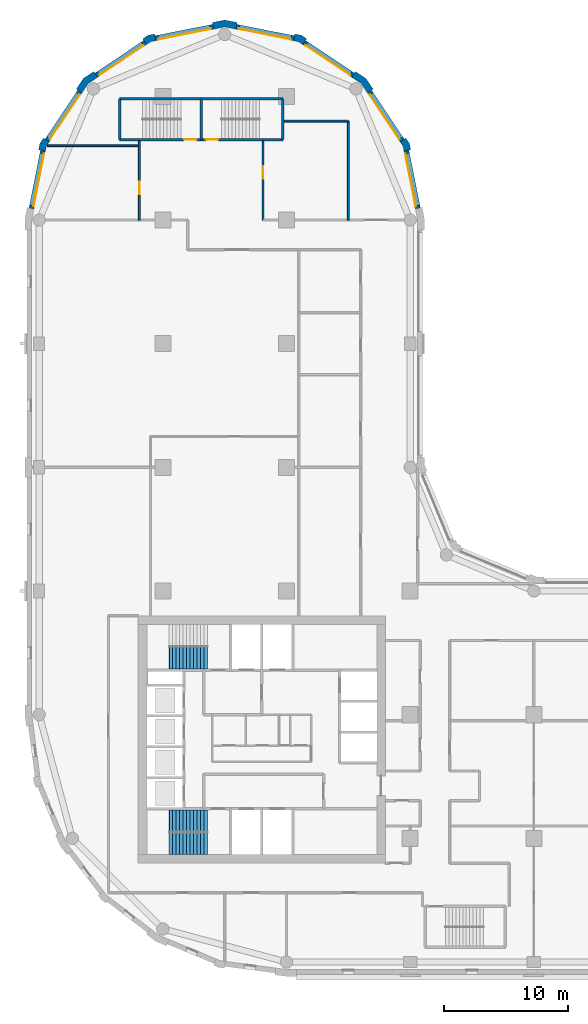
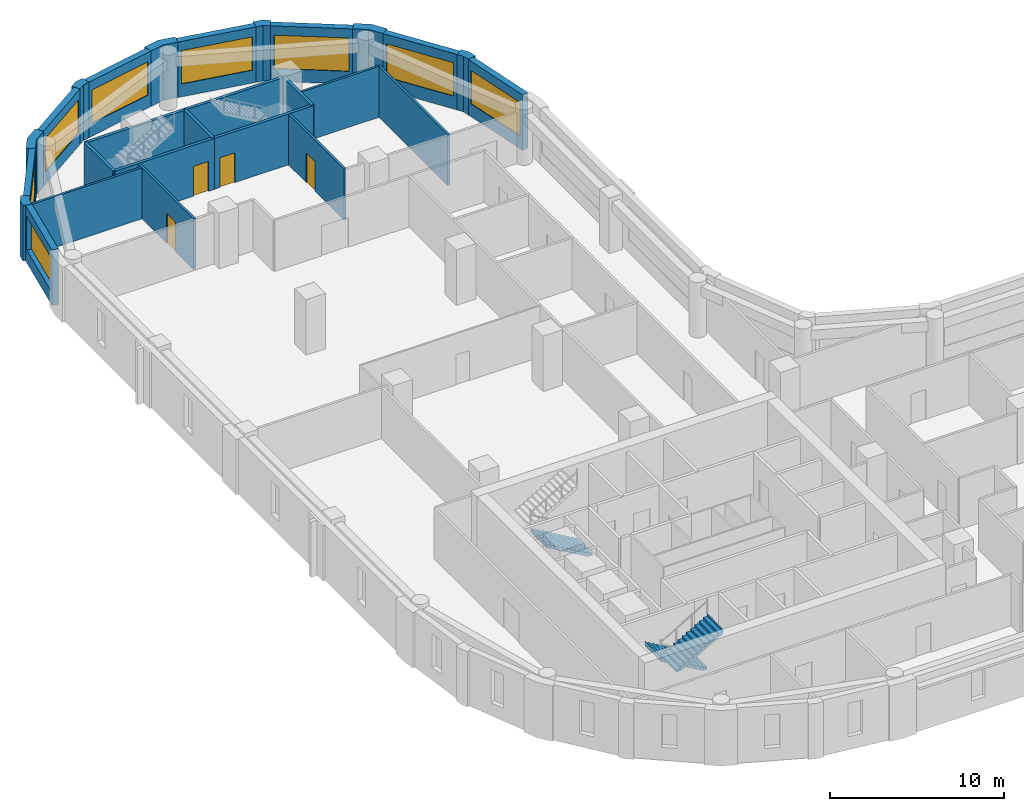
# One storey, part 6 of 9: 27 walls, 8 windows, 4 doors, 3 stair flights, 12 openings, 2 elements without a shape of their own.
"""IFC4 building model written with IfcOpenShell, lengths in metres."""

from ifc_helpers import new_model, si_unit, direction, frame, frame_2d, origin, place, context, subcontext, project, spatial, polyline, rectangle, outline, extrude, material, layer, layer_set, type_object, element, fill, aggregate, save


model = new_model("IFC4")

# Units and contexts
model_context = context("Model", 3, precision=1e-05, world=origin(), true_north=direction((0.0, 1.0)))
body_context = subcontext(model_context, "Body", "Model", "MODEL_VIEW")
ifc_project = project(units=[si_unit("LENGTHUNIT", "METRE"), si_unit("AREAUNIT", "SQUARE_METRE"), si_unit("VOLUMEUNIT", "CUBIC_METRE"), si_unit("PLANEANGLEUNIT", "RADIAN"), si_unit("MASSUNIT", "GRAM", prefix="KILO")], contexts=[model_context])

# Site, building, storey
site_placement = place(None, origin())
site = spatial("IfcSite", under=ifc_project, at=site_placement, CompositionType="ELEMENT")
building_placement = place(site_placement, origin())
building = spatial("IfcBuilding", under=site, at=building_placement, Name="Qaws Garden Tower", CompositionType="ELEMENT")
storey_placement = place(building_placement, frame((0.0, 0.0, 155.10009765625)))
storey = spatial("IfcBuildingStorey", under=building, at=storey_placement, Name="L37", CompositionType="ELEMENT", Elevation=155.10009765625)

# Wall, opening, window
ifc_material_1 = material(Name="Clay facing brick masonry", Category="masonry")
ifc_layer_1 = layer(ifc_material_1, 0.39990234375)
ifc_layer_set_1 = layer_set([ifc_layer_1], Name="Clay facing brick masonry")
wall_type_1 = type_object("IfcWallType", Name="Brick infill wall 400", PredefinedType="SOLIDWALL", material=ifc_layer_set_1)
wall_1_placement = place(storey_placement, frame((30.628662109375, 60.940673828125, 0.0), z_axis=(0.0, 0.0, 1.0), x_axis=(-0.195098533057, 0.98078364709, 0.0)))
wall_1 = element("IfcWall", 1, at=wall_1_placement, inside=storey, type_object=wall_type_1, Name="E-L37-infill-13", PredefinedType="SOLIDWALL", context=body_context, shape_type="SweptSolid", body=[
    extrude(rectangle(XDim=4.752685546875, YDim=0.39990234375, at=frame_2d((2.37646484375, 0.0))), origin(), (0.0, 0.0, 1.0), 3.89990234375),
])
opening_1_placement = place(wall_1_placement, frame((0.226318359375, 0.0, 0.89990234375)))
opening_1 = element("IfcOpeningElement", 2, at=opening_1_placement, cuts=wall_1, Name="Opening W06", PredefinedType="OPENING", context=body_context, shape_type="SweptSolid", body=[
    extrude(rectangle(XDim=4.300048828125, YDim=2.35009765625, at=frame_2d((2.14990234375, 1.175048828125))), frame((0.0, 0.2099609375, 0.0), z_axis=(0.0, -1.0, 0.0), x_axis=(1.0, 0.0, 0.0)), (0.0, 0.0, 1.0), 0.419921875),
])
ifc_material_2 = material(Name="Aluminium framed window, clear glazing", Category="aluminium")
window_type = type_object("IfcWindowType", Name="Ribbon window 4300 x 2350", PartitioningType="DOUBLE_PANEL_VERTICAL", PredefinedType="WINDOW", material=ifc_material_2)
window_1_placement = place(opening_1_placement, origin())
window_1 = element("IfcWindow", 3, at=window_1_placement, inside=storey, type_object=window_type, Name="E-L37-window-13-0", OverallHeight=2.35009765625, OverallWidth=4.300048828125, PartitioningType="SINGLE_PANEL", PredefinedType="WINDOW", context=body_context, shape_type="SweptSolid", body=[
    extrude(rectangle(XDim=4.300048828125, YDim=2.35009765625, at=frame_2d((2.14990234375, 1.175048828125))), frame((0.0, 0.159912109375, 0.0), z_axis=(0.0, -1.0, 0.0), x_axis=(1.0, 0.0, 0.0)), (0.0, 0.0, 1.0), 0.06005859375),
])
fill(opening_1, window_1)

wall_2_placement = place(storey_placement, frame((29.356689453125, 66.43408203125, 0.0), z_axis=(0.0, 0.0, 1.0), x_axis=(-0.555541552266, 0.831488775454, 0.0)))
wall_2 = element("IfcWall", 4, at=wall_2_placement, inside=storey, type_object=wall_type_1, Name="E-L37-infill-14", PredefinedType="SOLIDWALL", context=body_context, shape_type="SweptSolid", body=[
    extrude(rectangle(XDim=4.752685546875, YDim=0.39990234375, at=frame_2d((2.37646484375, 0.0))), origin(), (0.0, 0.0, 1.0), 3.89990234375),
])
opening_2_placement = place(wall_2_placement, frame((0.226318359375, 0.0, 0.89990234375)))
opening_2 = element("IfcOpeningElement", 5, at=opening_2_placement, cuts=wall_2, Name="Opening W06", PredefinedType="OPENING", context=body_context, shape_type="SweptSolid", body=[
    extrude(rectangle(XDim=4.300048828125, YDim=2.35009765625, at=frame_2d((2.14990234375, 1.175048828125))), frame((0.0, 0.2099609375, 0.0), z_axis=(0.0, -1.0, 0.0), x_axis=(1.0, 0.0, 0.0)), (0.0, 0.0, 1.0), 0.419921875),
])
window_2_placement = place(opening_2_placement, origin())
window_2 = element("IfcWindow", 6, at=window_2_placement, inside=storey, type_object=window_type, Name="E-L37-window-14-0", OverallHeight=2.35009765625, OverallWidth=4.300048828125, PartitioningType="SINGLE_PANEL", PredefinedType="WINDOW", context=body_context, shape_type="SweptSolid", body=[
    extrude(rectangle(XDim=4.300048828125, YDim=2.35009765625, at=frame_2d((2.14990234375, 1.175048828125))), frame((0.0, 0.159912109375, 0.0), z_axis=(0.0, -1.0, 0.0), x_axis=(1.0, 0.0, 0.0)), (0.0, 0.0, 1.0), 0.06005859375),
])
fill(opening_2, window_2)

wall_3_placement = place(storey_placement, frame((25.385986328125, 71.71630859375, 0.0), z_axis=(0.0, 0.0, 1.0), x_axis=(-0.831488775454, 0.555541552266, 0.0)))
wall_3 = element("IfcWall", 7, at=wall_3_placement, inside=storey, type_object=wall_type_1, Name="E-L37-infill-15", PredefinedType="SOLIDWALL", context=body_context, shape_type="SweptSolid", body=[
    extrude(rectangle(XDim=4.752685546875, YDim=0.39990234375, at=frame_2d((2.37646484375, 0.0))), origin(), (0.0, 0.0, 1.0), 3.89990234375),
])
opening_3_placement = place(wall_3_placement, frame((0.226318359375, 0.0, 0.89990234375)))
opening_3 = element("IfcOpeningElement", 8, at=opening_3_placement, cuts=wall_3, Name="Opening W06", PredefinedType="OPENING", context=body_context, shape_type="SweptSolid", body=[
    extrude(rectangle(XDim=4.300048828125, YDim=2.35009765625, at=frame_2d((2.14990234375, 1.175048828125))), frame((0.0, 0.2099609375, 0.0), z_axis=(0.0, -1.0, 0.0), x_axis=(1.0, 0.0, 0.0)), (0.0, 0.0, 1.0), 0.419921875),
])
window_3_placement = place(opening_3_placement, origin())
window_3 = element("IfcWindow", 9, at=window_3_placement, inside=storey, type_object=window_type, Name="E-L37-window-15-0", OverallHeight=2.35009765625, OverallWidth=4.300048828125, PartitioningType="SINGLE_PANEL", PredefinedType="WINDOW", context=body_context, shape_type="SweptSolid", body=[
    extrude(rectangle(XDim=4.300048828125, YDim=2.35009765625, at=frame_2d((2.14990234375, 1.175048828125))), frame((0.0, 0.159912109375, 0.0), z_axis=(0.0, -1.0, 0.0), x_axis=(1.0, 0.0, 0.0)), (0.0, 0.0, 1.0), 0.06005859375),
])
fill(opening_3, window_3)

wall_4_placement = place(storey_placement, frame((20.60205078125, 74.701416015625, 0.0), z_axis=(0.0, 0.0, 1.0), x_axis=(-0.98078364709, 0.195098533057, 0.0)))
wall_4 = element("IfcWall", 10, at=wall_4_placement, inside=storey, type_object=wall_type_1, Name="E-L37-infill-16", PredefinedType="SOLIDWALL", context=body_context, shape_type="SweptSolid", body=[
    extrude(rectangle(XDim=4.752685546875, YDim=0.39990234375, at=frame_2d((2.37646484375, 0.0))), origin(), (0.0, 0.0, 1.0), 3.89990234375),
])
opening_4_placement = place(wall_4_placement, frame((0.226318359375, 0.0, 0.89990234375)))
opening_4 = element("IfcOpeningElement", 11, at=opening_4_placement, cuts=wall_4, Name="Opening W06", PredefinedType="OPENING", context=body_context, shape_type="SweptSolid", body=[
    extrude(rectangle(XDim=4.300048828125, YDim=2.35009765625, at=frame_2d((2.14990234375, 1.175048828125))), frame((0.0, 0.2099609375, 0.0), z_axis=(0.0, -1.0, 0.0), x_axis=(1.0, 0.0, 0.0)), (0.0, 0.0, 1.0), 0.419921875),
])
window_4_placement = place(opening_4_placement, origin())
window_4 = element("IfcWindow", 12, at=window_4_placement, inside=storey, type_object=window_type, Name="E-L37-window-16-0", OverallHeight=2.35009765625, OverallWidth=4.300048828125, PartitioningType="SINGLE_PANEL", PredefinedType="WINDOW", context=body_context, shape_type="SweptSolid", body=[
    extrude(rectangle(XDim=4.300048828125, YDim=2.35009765625, at=frame_2d((2.14990234375, 1.175048828125))), frame((0.0, 0.159912109375, 0.0), z_axis=(0.0, -1.0, 0.0), x_axis=(1.0, 0.0, 0.0)), (0.0, 0.0, 1.0), 0.06005859375),
])
fill(opening_4, window_4)

wall_5_placement = place(storey_placement, frame((14.059326171875, 75.628662109375, 0.0), z_axis=(0.0, 0.0, 1.0), x_axis=(-0.98078364709, -0.195098533057, 0.0)))
wall_5 = element("IfcWall", 13, at=wall_5_placement, inside=storey, type_object=wall_type_1, Name="E-L37-infill-17", PredefinedType="SOLIDWALL", context=body_context, shape_type="SweptSolid", body=[
    extrude(rectangle(XDim=4.752685546875, YDim=0.39990234375, at=frame_2d((2.37646484375, 0.0))), origin(), (0.0, 0.0, 1.0), 3.89990234375),
])
opening_5_placement = place(wall_5_placement, frame((0.226318359375, 0.0, 0.89990234375)))
opening_5 = element("IfcOpeningElement", 14, at=opening_5_placement, cuts=wall_5, Name="Opening W06", PredefinedType="OPENING", context=body_context, shape_type="SweptSolid", body=[
    extrude(rectangle(XDim=4.300048828125, YDim=2.35009765625, at=frame_2d((2.14990234375, 1.175048828125))), frame((0.0, 0.2099609375, 0.0), z_axis=(0.0, -1.0, 0.0), x_axis=(1.0, 0.0, 0.0)), (0.0, 0.0, 1.0), 0.419921875),
])
window_5_placement = place(opening_5_placement, origin())
window_5 = element("IfcWindow", 15, at=window_5_placement, inside=storey, type_object=window_type, Name="E-L37-window-17-0", OverallHeight=2.35009765625, OverallWidth=4.300048828125, PartitioningType="SINGLE_PANEL", PredefinedType="WINDOW", context=body_context, shape_type="SweptSolid", body=[
    extrude(rectangle(XDim=4.300048828125, YDim=2.35009765625, at=frame_2d((2.14990234375, 1.175048828125))), frame((0.0, 0.159912109375, 0.0), z_axis=(0.0, -1.0, 0.0), x_axis=(1.0, 0.0, 0.0)), (0.0, 0.0, 1.0), 0.06005859375),
])
fill(opening_5, window_5)

wall_6_placement = place(storey_placement, frame((8.56591796875, 74.356689453125, 0.0), z_axis=(0.0, 0.0, 1.0), x_axis=(-0.831488775454, -0.555541552266, 0.0)))
wall_6 = element("IfcWall", 16, at=wall_6_placement, inside=storey, type_object=wall_type_1, Name="E-L37-infill-18", PredefinedType="SOLIDWALL", context=body_context, shape_type="SweptSolid", body=[
    extrude(rectangle(XDim=4.752685546875, YDim=0.39990234375, at=frame_2d((2.37646484375, 0.0))), origin(), (0.0, 0.0, 1.0), 3.89990234375),
])
opening_6_placement = place(wall_6_placement, frame((0.226318359375, 0.0, 0.89990234375)))
opening_6 = element("IfcOpeningElement", 17, at=opening_6_placement, cuts=wall_6, Name="Opening W06", PredefinedType="OPENING", context=body_context, shape_type="SweptSolid", body=[
    extrude(rectangle(XDim=4.300048828125, YDim=2.35009765625, at=frame_2d((2.14990234375, 1.175048828125))), frame((0.0, 0.2099609375, 0.0), z_axis=(0.0, -1.0, 0.0), x_axis=(1.0, 0.0, 0.0)), (0.0, 0.0, 1.0), 0.419921875),
])
window_6_placement = place(opening_6_placement, origin())
window_6 = element("IfcWindow", 18, at=window_6_placement, inside=storey, type_object=window_type, Name="E-L37-window-18-0", OverallHeight=2.35009765625, OverallWidth=4.300048828125, PartitioningType="SINGLE_PANEL", PredefinedType="WINDOW", context=body_context, shape_type="SweptSolid", body=[
    extrude(rectangle(XDim=4.300048828125, YDim=2.35009765625, at=frame_2d((2.14990234375, 1.175048828125))), frame((0.0, 0.159912109375, 0.0), z_axis=(0.0, -1.0, 0.0), x_axis=(1.0, 0.0, 0.0)), (0.0, 0.0, 1.0), 0.06005859375),
])
fill(opening_6, window_6)

wall_7_placement = place(storey_placement, frame((3.28369140625, 70.385986328125, 0.0), z_axis=(0.0, 0.0, 1.0), x_axis=(-0.555541552266, -0.831488775454, 0.0)))
wall_7 = element("IfcWall", 19, at=wall_7_placement, inside=storey, type_object=wall_type_1, Name="E-L37-infill-19", PredefinedType="SOLIDWALL", context=body_context, shape_type="SweptSolid", body=[
    extrude(rectangle(XDim=4.752685546875, YDim=0.39990234375, at=frame_2d((2.37646484375, 0.0))), origin(), (0.0, 0.0, 1.0), 3.89990234375),
])
opening_7_placement = place(wall_7_placement, frame((0.226318359375, 0.0, 0.89990234375)))
opening_7 = element("IfcOpeningElement", 20, at=opening_7_placement, cuts=wall_7, Name="Opening W06", PredefinedType="OPENING", context=body_context, shape_type="SweptSolid", body=[
    extrude(rectangle(XDim=4.300048828125, YDim=2.35009765625, at=frame_2d((2.14990234375, 1.175048828125))), frame((0.0, 0.2099609375, 0.0), z_axis=(0.0, -1.0, 0.0), x_axis=(1.0, 0.0, 0.0)), (0.0, 0.0, 1.0), 0.419921875),
])
window_7_placement = place(opening_7_placement, origin())
window_7 = element("IfcWindow", 21, at=window_7_placement, inside=storey, type_object=window_type, Name="E-L37-window-19-0", OverallHeight=2.35009765625, OverallWidth=4.300048828125, PartitioningType="SINGLE_PANEL", PredefinedType="WINDOW", context=body_context, shape_type="SweptSolid", body=[
    extrude(rectangle(XDim=4.300048828125, YDim=2.35009765625, at=frame_2d((2.14990234375, 1.175048828125))), frame((0.0, 0.159912109375, 0.0), z_axis=(0.0, -1.0, 0.0), x_axis=(1.0, 0.0, 0.0)), (0.0, 0.0, 1.0), 0.06005859375),
])
fill(opening_7, window_7)

wall_8_placement = place(storey_placement, frame((0.298583984375, 65.60205078125, 0.0), z_axis=(0.0, 0.0, 1.0), x_axis=(-0.195098533057, -0.98078364709, 0.0)))
wall_8 = element("IfcWall", 22, at=wall_8_placement, inside=storey, type_object=wall_type_1, Name="E-L37-infill-20", PredefinedType="SOLIDWALL", context=body_context, shape_type="SweptSolid", body=[
    extrude(rectangle(XDim=4.752685546875, YDim=0.39990234375, at=frame_2d((2.37646484375, 0.0))), origin(), (0.0, 0.0, 1.0), 3.89990234375),
])
opening_8_placement = place(wall_8_placement, frame((0.226318359375, 0.0, 0.89990234375)))
opening_8 = element("IfcOpeningElement", 23, at=opening_8_placement, cuts=wall_8, Name="Opening W06", PredefinedType="OPENING", context=body_context, shape_type="SweptSolid", body=[
    extrude(rectangle(XDim=4.300048828125, YDim=2.35009765625, at=frame_2d((2.14990234375, 1.175048828125))), frame((0.0, 0.2099609375, 0.0), z_axis=(0.0, -1.0, 0.0), x_axis=(1.0, 0.0, 0.0)), (0.0, 0.0, 1.0), 0.419921875),
])
window_8_placement = place(opening_8_placement, origin())
window_8 = element("IfcWindow", 24, at=window_8_placement, inside=storey, type_object=window_type, Name="E-L37-window-20-0", OverallHeight=2.35009765625, OverallWidth=4.300048828125, PartitioningType="SINGLE_PANEL", PredefinedType="WINDOW", context=body_context, shape_type="SweptSolid", body=[
    extrude(rectangle(XDim=4.300048828125, YDim=2.35009765625, at=frame_2d((2.14990234375, 1.175048828125))), frame((0.0, 0.159912109375, 0.0), z_axis=(0.0, -1.0, 0.0), x_axis=(1.0, 0.0, 0.0)), (0.0, 0.0, 1.0), 0.06005859375),
])
fill(opening_8, window_8)

# Walls
ifc_material_3 = material(Name="Clay facing brick masonry", Category="masonry")
ifc_layer_2 = layer(ifc_material_3, 0.550048828125)
ifc_layer_set_2 = layer_set([ifc_layer_2], Name="Clay facing brick masonry")
wall_type_2 = type_object("IfcWallType", Name="Brick kink pier 550 x 600", PredefinedType="SOLIDWALL", material=ifc_layer_set_2)
placement = place(storey_placement, origin())
element("IfcWall", 25, at=placement, inside=storey, type_object=wall_type_2, Name="E-L37-pier-14", PredefinedType="SOLIDWALL", context=body_context, shape_type="SweptSolid", body=[
    extrude(outline(polyline([(29.8974609375, 65.64111328125), (30.044677734375, 65.67041015625), (29.94140625, 66.18896484375), (29.647705078125, 66.628662109375), (29.52294921875, 66.545166015625), (29.1904296875, 66.322998046875), (29.42333984375, 65.974365234375), (29.505126953125, 65.56298828125), (29.8974609375, 65.64111328125)])), origin(), (0.0, 0.0, 1.0), 3.89990234375),
])
element("IfcWall", 26, at=placement, inside=storey, type_object=wall_type_2, Name="E-L37-pier-16", PredefinedType="SOLIDWALL", context=body_context, shape_type="SweptSolid", body=[
    extrude(outline(polyline([(21.545166015625, 74.52294921875), (21.628662109375, 74.647705078125), (21.18896484375, 74.94140625), (20.67041015625, 75.044677734375), (20.64111328125, 74.8974609375), (20.56298828125, 74.505126953125), (20.974365234375, 74.42333984375), (21.322998046875, 74.1904296875), (21.545166015625, 74.52294921875)])), origin(), (0.0, 0.0, 1.0), 3.89990234375),
])
element("IfcWall", 27, at=placement, inside=storey, type_object=wall_type_2, Name="E-L37-pier-18", PredefinedType="SOLIDWALL", context=body_context, shape_type="SweptSolid", body=[
    extrude(outline(polyline([(9.35888671875, 74.8974609375), (9.32958984375, 75.044677734375), (8.81103515625, 74.94140625), (8.371337890625, 74.647705078125), (8.454833984375, 74.52294921875), (8.677001953125, 74.1904296875), (9.025634765625, 74.42333984375), (9.43701171875, 74.505126953125), (9.35888671875, 74.8974609375)])), origin(), (0.0, 0.0, 1.0), 3.89990234375),
])
element("IfcWall", 28, at=placement, inside=storey, type_object=wall_type_2, Name="E-L37-pier-20", PredefinedType="SOLIDWALL", context=body_context, shape_type="SweptSolid", body=[
    extrude(outline(polyline([(0.47705078125, 66.545166015625), (0.352294921875, 66.628662109375), (0.05859375, 66.18896484375), (-0.044677734375, 65.67041015625), (0.1025390625, 65.64111328125), (0.494873046875, 65.56298828125), (0.57666015625, 65.974365234375), (0.8095703125, 66.322998046875), (0.47705078125, 66.545166015625)])), origin(), (0.0, 0.0, 1.0), 3.89990234375),
])
ifc_material_4 = material(Name="Clay facing brick masonry", Category="masonry")
ifc_layer_3 = layer(ifc_material_4, 0.550048828125)
ifc_layer_set_3 = layer_set([ifc_layer_3], Name="Clay facing brick masonry")
wall_type_3 = type_object("IfcWallType", Name="Brick pier 550 x 1600", PredefinedType="SOLIDWALL", material=ifc_layer_set_3)
element("IfcWall", 29, at=placement, inside=storey, type_object=wall_type_3, Name="E-L37-pier-15", PredefinedType="SOLIDWALL", context=body_context, shape_type="SweptSolid", body=[
    extrude(outline(polyline([(26.882568359375, 70.4970703125), (27.00732421875, 70.580322265625), (26.435791015625, 71.435791015625), (25.580322265625, 72.00732421875), (25.4970703125, 71.882568359375), (25.274658203125, 71.550048828125), (26.0390625, 71.0390625), (26.550048828125, 70.274658203125), (26.882568359375, 70.4970703125)])), origin(), (0.0, 0.0, 1.0), 3.89990234375),
])
element("IfcWall", 30, at=placement, inside=storey, type_object=wall_type_3, Name="E-L37-pier-17", PredefinedType="SOLIDWALL", context=body_context, shape_type="SweptSolid", body=[
    extrude(outline(polyline([(15.979736328125, 75.82470703125), (16.009033203125, 75.971923828125), (15.0, 76.172607421875), (13.990966796875, 75.971923828125), (14.020263671875, 75.82470703125), (14.098388671875, 75.432373046875), (15.0, 75.61181640625), (15.901611328125, 75.432373046875), (15.979736328125, 75.82470703125)])), origin(), (0.0, 0.0, 1.0), 3.89990234375),
])
element("IfcWall", 31, at=placement, inside=storey, type_object=wall_type_3, Name="E-L37-pier-19", PredefinedType="SOLIDWALL", context=body_context, shape_type="SweptSolid", body=[
    extrude(outline(polyline([(4.5029296875, 71.882568359375), (4.419677734375, 72.00732421875), (3.564208984375, 71.435791015625), (2.99267578125, 70.580322265625), (3.117431640625, 70.4970703125), (3.449951171875, 70.274658203125), (3.9609375, 71.0390625), (4.725341796875, 71.550048828125), (4.5029296875, 71.882568359375)])), origin(), (0.0, 0.0, 1.0), 3.89990234375),
])

# Wall, opening, door
ifc_material_5 = material(Name="Concrete C70", Category="concrete")
ifc_layer_4 = layer(ifc_material_5, 0.199951171875)
ifc_layer_set_4 = layer_set([ifc_layer_4], Name="Concrete C70")
wall_type_4 = type_object("IfcWallType", Name="Core shaft wall 200 C70", PredefinedType="SHEAR", material=ifc_layer_set_4)
wall_16_placement = place(storey_placement, frame((6.5, 66.5, 0.0), z_axis=(0.0, 0.0, 1.0), x_axis=(1.0, 0.0, 0.0)))
wall_16 = element("IfcWall", 32, at=wall_16_placement, inside=storey, type_object=wall_type_4, Name="Shaft wall", PredefinedType="SHEAR", context=body_context, shape_type="SweptSolid", body=[
    extrude(rectangle(XDim=6.60009765625, YDim=0.199951171875, at=frame_2d((3.300048828125, 0.0))), origin(), (0.0, 0.0, 1.0), 3.579833984375),
])
opening_9_placement = place(wall_16_placement, frame((5.22509765625, 0.0, 0.0)))
opening_9 = element("IfcOpeningElement", 33, at=opening_9_placement, cuts=wall_16, Name="Opening SD13", PredefinedType="OPENING", context=body_context, shape_type="SweptSolid", body=[
    extrude(rectangle(XDim=1.0, YDim=2.10009765625, at=frame_2d((0.5, 1.050048828125))), frame((0.0, 0.10986328125, 0.0), z_axis=(0.0, -1.0, 0.0), x_axis=(1.0, 0.0, 0.0)), (0.0, 0.0, 1.0), 0.219970703125),
])
ifc_material_6 = material(Name="Steel S235", Category="steel")
door_type_1 = type_object("IfcDoorType", Name="Stair door 1000x2100", OperationType="SINGLE_SWING_RIGHT", PredefinedType="DOOR", material=ifc_material_6)
door_1_placement = place(opening_9_placement, origin())
door_1 = element("IfcDoor", 34, at=door_1_placement, inside=storey, type_object=door_type_1, Name="Stair 6 door", OperationType="SINGLE_SWING_RIGHT", OverallHeight=2.10009765625, OverallWidth=1.0, PredefinedType="DOOR", context=body_context, shape_type="SweptSolid", body=[
    extrude(rectangle(XDim=1.0, YDim=2.10009765625, at=frame_2d((0.5, 1.050048828125))), frame((0.0, 0.02490234375, 0.0), z_axis=(0.0, -1.0, 0.0), x_axis=(1.0, 0.0, 0.0)), (0.0, 0.0, 1.0), 0.050048828125),
])
fill(opening_9, door_1)

wall_17_placement = place(storey_placement, frame((13.10009765625, 66.5, 0.0), z_axis=(0.0, 0.0, 1.0), x_axis=(1.0, 0.0, 0.0)))
wall_17 = element("IfcWall", 35, at=wall_17_placement, inside=storey, type_object=wall_type_4, Name="Shaft wall", PredefinedType="SHEAR", context=body_context, shape_type="SweptSolid", body=[
    extrude(rectangle(XDim=6.599853515625, YDim=0.199951171875, at=frame_2d((3.2998046875, 0.0))), origin(), (0.0, 0.0, 1.0), 3.579833984375),
])
opening_10_placement = place(wall_17_placement, frame((0.375, 0.0, 0.0)))
opening_10 = element("IfcOpeningElement", 36, at=opening_10_placement, cuts=wall_17, Name="Opening SD14", PredefinedType="OPENING", context=body_context, shape_type="SweptSolid", body=[
    extrude(rectangle(XDim=1.0, YDim=2.10009765625, at=frame_2d((0.5, 1.050048828125))), frame((0.0, 0.10986328125, 0.0), z_axis=(0.0, -1.0, 0.0), x_axis=(1.0, 0.0, 0.0)), (0.0, 0.0, 1.0), 0.219970703125),
])
door_2_placement = place(opening_10_placement, origin())
door_2 = element("IfcDoor", 37, at=door_2_placement, inside=storey, type_object=door_type_1, Name="Stair 7 door", OperationType="SINGLE_SWING_LEFT", OverallHeight=2.10009765625, OverallWidth=1.0, PredefinedType="DOOR", context=body_context, shape_type="SweptSolid", body=[
    extrude(rectangle(XDim=1.0, YDim=2.10009765625, at=frame_2d((0.5, 1.050048828125))), frame((0.0, 0.02490234375, 0.0), z_axis=(0.0, -1.0, 0.0), x_axis=(1.0, 0.0, 0.0)), (0.0, 0.0, 1.0), 0.050048828125),
])
fill(opening_10, door_2)

# Walls
wall_18_placement = place(storey_placement, frame((6.5, 69.800048828125, 0.0), z_axis=(0.0, 0.0, 1.0), x_axis=(1.0, 0.0, 0.0)))
element("IfcWall", 38, at=wall_18_placement, inside=storey, type_object=wall_type_4, Name="Shaft wall", PredefinedType="SHEAR", context=body_context, shape_type="SweptSolid", body=[
    extrude(rectangle(XDim=6.60009765625, YDim=0.199951171875, at=frame_2d((3.300048828125, 0.0))), origin(), (0.0, 0.0, 1.0), 3.579833984375),
])
wall_19_placement = place(storey_placement, frame((13.10009765625, 69.800048828125, 0.0), z_axis=(0.0, 0.0, 1.0), x_axis=(1.0, 0.0, 0.0)))
element("IfcWall", 39, at=wall_19_placement, inside=storey, type_object=wall_type_4, Name="Shaft wall", PredefinedType="SHEAR", context=body_context, shape_type="SweptSolid", body=[
    extrude(rectangle(XDim=6.599853515625, YDim=0.199951171875, at=frame_2d((3.2998046875, 0.0))), origin(), (0.0, 0.0, 1.0), 3.579833984375),
])
for number, where, z_axis, x_axis, name in (
    (40, (6.5, 66.5, 0.0), (0.0, 0.0, 1.0), (0.0, 1.0, 0.0), "Shaft wall"),
    (41, (13.10009765625, 66.5, 0.0), (0.0, 0.0, 1.0), (0.0, 1.0, 0.0), "Shaft wall"),
    (42, (19.699951171875, 66.5, 0.0), (0.0, 0.0, 1.0), (0.0, 1.0, 0.0), "Shaft wall"),
):
    element("IfcWall", number, at=place(storey_placement, frame(where, z_axis=z_axis, x_axis=x_axis)), inside=storey, type_object=wall_type_4, Name=name, PredefinedType="SHEAR", context=body_context, shape_type="SweptSolid", body=[
        extrude(rectangle(XDim=3.300048828125, YDim=0.199951171875, at=frame_2d((1.64990234375, 0.0))), origin(), (0.0, 0.0, 1.0), 3.579833984375),
    ])

# Wall, opening, door
ifc_material_7 = material(Name="Gypsum board partition")
ifc_layer_5 = layer(ifc_material_7, 0.14990234375)
ifc_layer_set_5 = layer_set([ifc_layer_5], Name="Gypsum board partition")
wall_type_5 = type_object("IfcWallType", Name="PARTITION 150 EI 60", PredefinedType="PARTITIONING", material=ifc_layer_set_5)
wall_20_placement = place(storey_placement, frame((8.10009765625, 60.0, 0.0), z_axis=(0.0, 0.0, 1.0), x_axis=(0.0, 1.0, 0.0)))
wall_20 = element("IfcWall", 43, at=wall_20_placement, inside=storey, type_object=wall_type_5, Name="O-L37-wall-007", PredefinedType="PARTITIONING", context=body_context, shape_type="SweptSolid", body=[
    extrude(rectangle(XDim=6.39990234375, YDim=0.14990234375, at=frame_2d((3.199951171875, 0.0))), origin(), (0.0, 0.0, 1.0), 3.579833984375),
])
opening_11_placement = place(wall_20_placement, frame((2.10009765625, 0.0, 0.0)))
opening_11 = element("IfcOpeningElement", 44, at=opening_11_placement, cuts=wall_20, Name="Opening B312", PredefinedType="OPENING", context=body_context, shape_type="SweptSolid", body=[
    extrude(rectangle(XDim=1.0, YDim=2.10009765625, at=frame_2d((0.5, 1.050048828125))), frame((0.0, 0.0849609375, 0.0), z_axis=(0.0, -1.0, 0.0), x_axis=(1.0, 0.0, 0.0)), (0.0, 0.0, 1.0), 0.169921875),
])
ifc_material_8 = material(Name="Timber door leaf", Category="wood")
door_type_2 = type_object("IfcDoorType", Name="TENANCY ENTRANCE DOOR 1000 X 2100", OperationType="SINGLE_SWING_LEFT", PredefinedType="DOOR", material=ifc_material_8)
door_3_placement = place(opening_11_placement, origin())
door_3 = element("IfcDoor", 45, at=door_3_placement, inside=storey, type_object=door_type_2, Name="O-L37-door-012", OperationType="SINGLE_SWING_LEFT", OverallHeight=2.10009765625, OverallWidth=1.0, PredefinedType="DOOR", context=body_context, shape_type="SweptSolid", body=[
    extrude(rectangle(XDim=1.0, YDim=2.10009765625, at=frame_2d((0.5, 1.050048828125))), frame((0.0, 0.02490234375, 0.0), z_axis=(0.0, -1.0, 0.0), x_axis=(1.0, 0.0, 0.0)), (0.0, 0.0, 1.0), 0.050048828125),
])
fill(opening_11, door_3)

wall_21_placement = place(storey_placement, frame((18.10009765625, 60.0, 0.0), z_axis=(0.0, 0.0, 1.0), x_axis=(0.0, 1.0, 0.0)))
wall_21 = element("IfcWall", 46, at=wall_21_placement, inside=storey, type_object=wall_type_5, Name="O-L37-wall-011", PredefinedType="PARTITIONING", context=body_context, shape_type="SweptSolid", body=[
    extrude(rectangle(XDim=6.39990234375, YDim=0.14990234375, at=frame_2d((3.199951171875, 0.0))), origin(), (0.0, 0.0, 1.0), 3.579833984375),
])
opening_12_placement = place(wall_21_placement, frame((3.35009765625, 0.0, 0.0)))
opening_12 = element("IfcOpeningElement", 47, at=opening_12_placement, cuts=wall_21, Name="Opening B313", PredefinedType="OPENING", context=body_context, shape_type="SweptSolid", body=[
    extrude(rectangle(XDim=1.0, YDim=2.10009765625, at=frame_2d((0.5, 1.050048828125))), frame((0.0, 0.0849609375, 0.0), z_axis=(0.0, -1.0, 0.0), x_axis=(1.0, 0.0, 0.0)), (0.0, 0.0, 1.0), 0.169921875),
])
door_4_placement = place(opening_12_placement, frame((1.0, 0.0, 0.0), z_axis=(0.0, 0.0, 1.0), x_axis=(-1.0, 0.0, 0.0)))
door_4 = element("IfcDoor", 48, at=door_4_placement, inside=storey, type_object=door_type_2, Name="O-L37-door-013", OperationType="SINGLE_SWING_RIGHT", OverallHeight=2.10009765625, OverallWidth=1.0, PredefinedType="DOOR", context=body_context, shape_type="SweptSolid", body=[
    extrude(rectangle(XDim=1.0, YDim=2.10009765625, at=frame_2d((0.5, 1.050048828125))), frame((0.0, 0.02490234375, 0.0), z_axis=(0.0, -1.0, 0.0), x_axis=(1.0, 0.0, 0.0)), (0.0, 0.0, 1.0), 0.050048828125),
])
fill(opening_12, door_4)

# Walls
wall_22_placement = place(storey_placement, frame((25.0, 60.0, 0.0), z_axis=(0.0, 0.0, 1.0), x_axis=(0.0, 1.0, 0.0)))
element("IfcWall", 49, at=wall_22_placement, inside=storey, type_object=wall_type_5, Name="O-L37-wall-014", PredefinedType="PARTITIONING", context=body_context, shape_type="SweptSolid", body=[
    extrude(rectangle(XDim=8.0, YDim=0.14990234375, at=frame_2d((4.0, 0.0))), origin(), (0.0, 0.0, 1.0), 3.579833984375),
])
wall_23_placement = place(storey_placement, frame((0.643798828125, 66.0, 0.0), z_axis=(0.0, 0.0, 1.0), x_axis=(1.0, 0.0, 0.0)))
element("IfcWall", 50, at=wall_23_placement, inside=storey, type_object=wall_type_5, Name="O-L37-wall-055", PredefinedType="PARTITIONING", context=body_context, shape_type="SweptSolid", body=[
    extrude(rectangle(XDim=7.456298828125, YDim=0.14990234375, at=frame_2d((3.72802734375, 0.0))), origin(), (0.0, 0.0, 1.0), 3.579833984375),
])
wall_24_placement = place(storey_placement, frame((19.800048828125, 68.0, 0.0), z_axis=(0.0, 0.0, 1.0), x_axis=(1.0, 0.0, 0.0)))
element("IfcWall", 51, at=wall_24_placement, inside=storey, type_object=wall_type_5, Name="O-L37-wall-056", PredefinedType="PARTITIONING", context=body_context, shape_type="SweptSolid", body=[
    extrude(rectangle(XDim=5.199951171875, YDim=0.14990234375, at=frame_2d((2.60009765625, 0.0))), origin(), (0.0, 0.0, 1.0), 3.579833984375),
])

# Stair, stair flights
ifc_material_9 = material(Name="Concrete C40", Category="concrete")
stair_type = type_object("IfcStairType", Name="Exit stair 1500", PredefinedType="HALF_TURN_STAIR", material=ifc_material_9)
stair_1 = element("IfcStair", 52, at=placement, inside=storey, type_object=stair_type, Name="Stair 1", PredefinedType="HALF_TURN_STAIR")
ifc_material_10 = material(Name="Concrete C40", Category="concrete")
stair_flight_type = type_object("IfcStairFlightType", Name="Stair flight 1500", PredefinedType="STRAIGHT", material=ifc_material_10)
stair_flight_1_placement = place(storey_placement, frame((13.60009765625, 11.39990234375, 0.0), z_axis=(0.0, 0.0, 1.0), x_axis=(-1.0, 0.0, 0.0)))
stair_flight_1 = element("IfcStairFlight", 53, at=stair_flight_1_placement, type_object=stair_flight_type, Name="ST1 flight 1", NumberOfRisers=12, NumberOfTreads=11, PredefinedType="STRAIGHT", RiserHeight=0.1625, TreadLength=0.28, context=body_context, shape_type="SweptSolid", body=[
    extrude(outline(polyline([(-0.0029296875, 0.0), (-0.0029296875, 0.16259765625), (0.0, 0.16259765625), (0.280029296875, 0.16259765625), (0.280029296875, 0.324951171875), (0.56005859375, 0.324951171875), (0.56005859375, 0.487548828125), (0.840087890625, 0.487548828125), (0.840087890625, 0.64990234375), (1.1201171875, 0.64990234375), (1.1201171875, 0.8125), (1.39990234375, 0.8125), (1.39990234375, 0.97509765625), (1.679931640625, 0.97509765625), (1.679931640625, 1.137451171875), (1.9599609375, 1.137451171875), (1.9599609375, 1.300048828125), (2.239990234375, 1.300048828125), (2.239990234375, 1.46240234375), (2.52001953125, 1.46240234375), (2.52001953125, 1.625), (2.800048828125, 1.625), (2.800048828125, 1.78759765625), (3.080078125, 1.78759765625), (3.080078125, 1.949951171875), (3.0830078125, 1.949951171875), (3.0830078125, 1.6142578125), (3.080078125, 1.6142578125), (0.298583984375, 0.0), (-0.0029296875, 0.0)])), frame((0.0, 0.89990234375, 0.0), z_axis=(0.0, -1.0, 0.0), x_axis=(1.0, 0.0, 0.0)), (0.0, 0.0, 1.0), 1.800048828125),
])
stair_flight_2_placement = place(storey_placement, frame((10.52001953125, 9.60009765625, 1.949951171875), z_axis=(0.0, 0.0, 1.0), x_axis=(1.0, 0.0, 0.0)))
stair_flight_2 = element("IfcStairFlight", 54, at=stair_flight_2_placement, type_object=stair_flight_type, Name="ST1 flight 2", NumberOfRisers=12, NumberOfTreads=11, PredefinedType="STRAIGHT", RiserHeight=0.1625, TreadLength=0.28, context=body_context, shape_type="SweptSolid", body=[
    extrude(outline(polyline([(-0.0029296875, 0.0), (-0.0029296875, 0.16259765625), (0.0, 0.16259765625), (0.280029296875, 0.16259765625), (0.280029296875, 0.324951171875), (0.56005859375, 0.324951171875), (0.56005859375, 0.487548828125), (0.840087890625, 0.487548828125), (0.840087890625, 0.64990234375), (1.1201171875, 0.64990234375), (1.1201171875, 0.8125), (1.39990234375, 0.8125), (1.39990234375, 0.97509765625), (1.679931640625, 0.97509765625), (1.679931640625, 1.137451171875), (1.9599609375, 1.137451171875), (1.9599609375, 1.300048828125), (2.239990234375, 1.300048828125), (2.239990234375, 1.46240234375), (2.52001953125, 1.46240234375), (2.52001953125, 1.625), (2.800048828125, 1.625), (2.800048828125, 1.78759765625), (3.080078125, 1.78759765625), (3.080078125, 1.949951171875), (3.0830078125, 1.949951171875), (3.0830078125, 1.6142578125), (3.080078125, 1.6142578125), (0.298583984375, 0.0), (-0.0029296875, 0.0)])), frame((0.0, 0.89990234375, 0.0), z_axis=(0.0, -1.0, 0.0), x_axis=(1.0, 0.0, 0.0)), (0.0, 0.0, 1.0), 1.800048828125),
])
aggregate(stair_1, [stair_flight_1, stair_flight_2])

# Stair, stair flight
stair_2 = element("IfcStair", 55, at=placement, inside=storey, type_object=stair_type, Name="Stair 4", PredefinedType="HALF_TURN_STAIR")
stair_flight_3_placement = place(storey_placement, frame((13.60009765625, 24.60009765625, 0.0), z_axis=(0.0, 0.0, 1.0), x_axis=(-1.0, 0.0, 0.0)))
stair_flight_3 = element("IfcStairFlight", 56, at=stair_flight_3_placement, type_object=stair_flight_type, Name="ST4 flight 1", NumberOfRisers=12, NumberOfTreads=11, PredefinedType="STRAIGHT", RiserHeight=0.1625, TreadLength=0.28, context=body_context, shape_type="SweptSolid", body=[
    extrude(outline(polyline([(-0.0029296875, 0.0), (-0.0029296875, 0.16259765625), (0.0, 0.16259765625), (0.280029296875, 0.16259765625), (0.280029296875, 0.324951171875), (0.56005859375, 0.324951171875), (0.56005859375, 0.487548828125), (0.840087890625, 0.487548828125), (0.840087890625, 0.64990234375), (1.1201171875, 0.64990234375), (1.1201171875, 0.8125), (1.39990234375, 0.8125), (1.39990234375, 0.97509765625), (1.679931640625, 0.97509765625), (1.679931640625, 1.137451171875), (1.9599609375, 1.137451171875), (1.9599609375, 1.300048828125), (2.239990234375, 1.300048828125), (2.239990234375, 1.46240234375), (2.52001953125, 1.46240234375), (2.52001953125, 1.625), (2.800048828125, 1.625), (2.800048828125, 1.78759765625), (3.080078125, 1.78759765625), (3.080078125, 1.949951171875), (3.0830078125, 1.949951171875), (3.0830078125, 1.6142578125), (3.080078125, 1.6142578125), (0.298583984375, 0.0), (-0.0029296875, 0.0)])), frame((0.0, 0.89501953125, 0.0), z_axis=(0.0, -1.0, 0.0), x_axis=(1.0, 0.0, 0.0)), (0.0, 0.0, 1.0), 1.7900390625),
])
aggregate(stair_2, [stair_flight_3])

save(model, "model.ifc")
